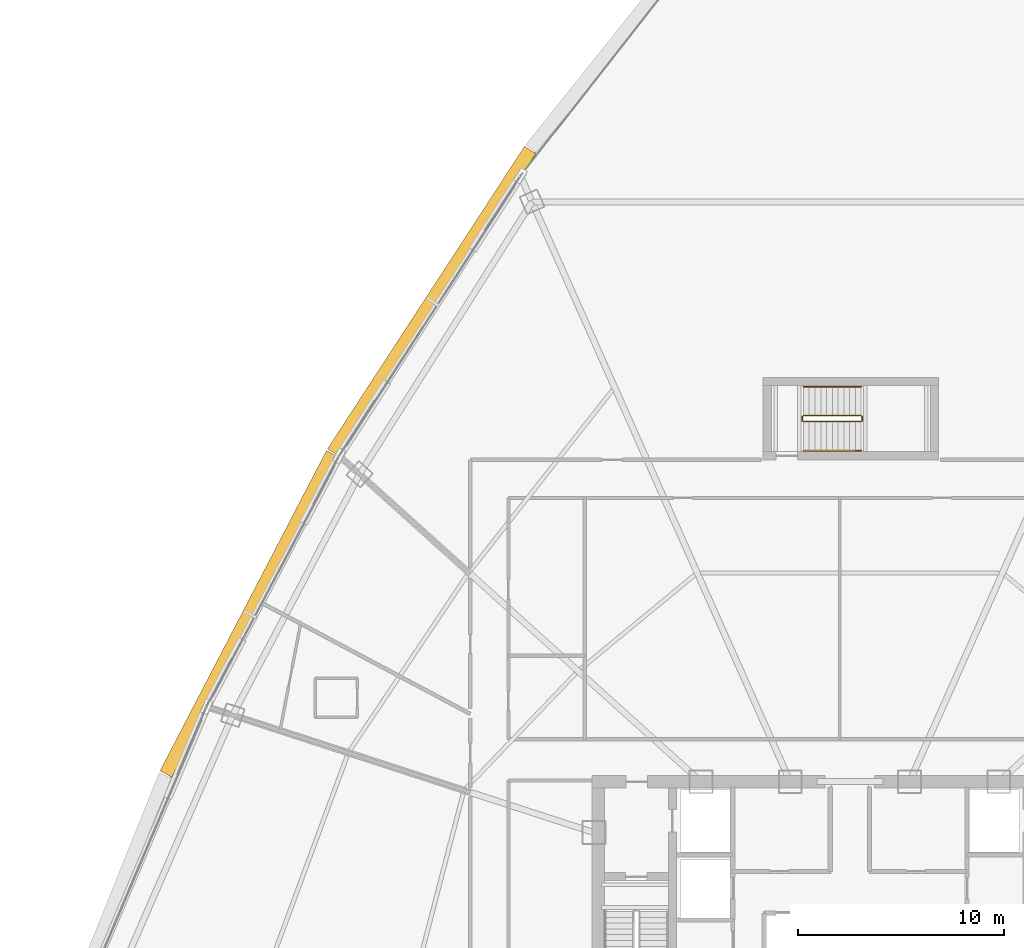
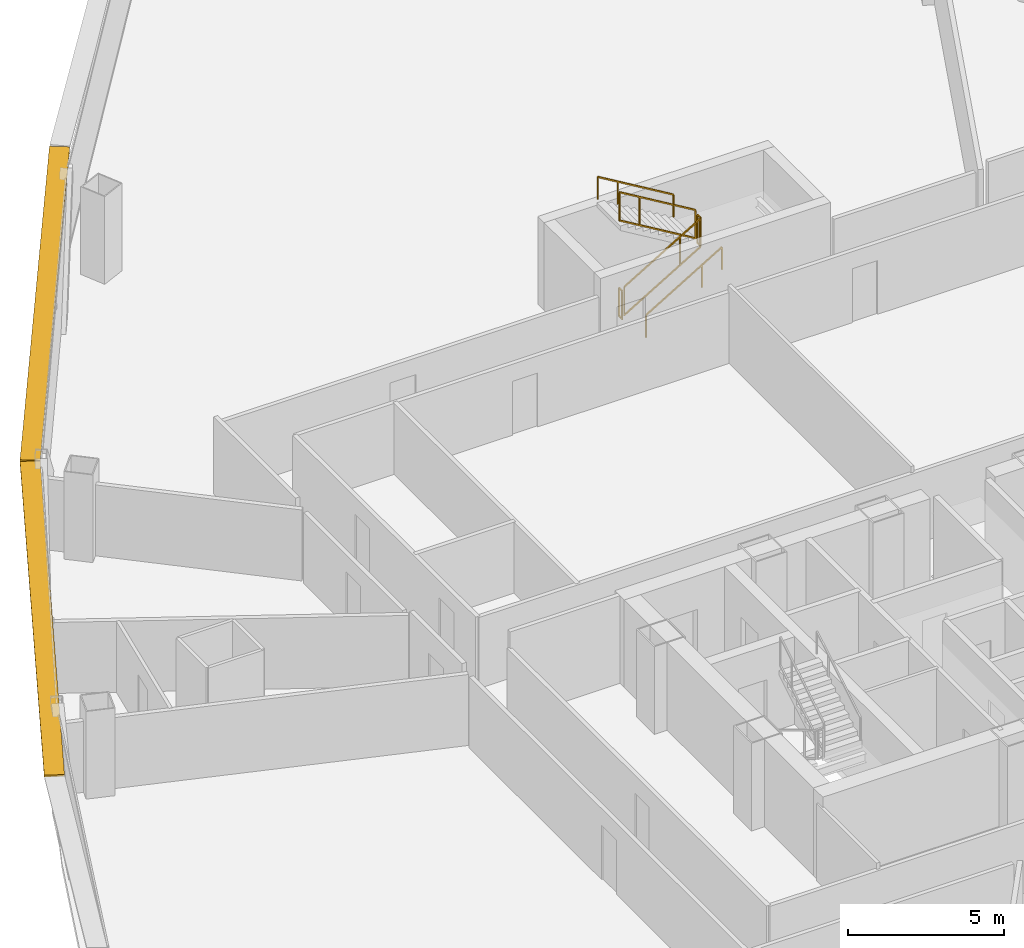
# One storey, part 40 of 41: 6 railings, 2 shading devices.
"""IFC4 building model written with IfcOpenShell, lengths in metres."""

from ifc_helpers import new_model, si_unit, direction, frame, origin, origin_2d, place, context, subcontext, project, spatial, rectangle, extrude, source, transform, mapped, material, layer, layer_set, type_object, element, save


model = new_model("IFC4")

# Units and contexts
model_context = context("Model", 3, precision=1e-05, world=origin(), true_north=direction((0.0, 1.0)))
body_context = subcontext(model_context, "Body", "Model", "MODEL_VIEW")
ifc_project = project(units=[si_unit("LENGTHUNIT", "METRE"), si_unit("AREAUNIT", "SQUARE_METRE"), si_unit("VOLUMEUNIT", "CUBIC_METRE"), si_unit("PLANEANGLEUNIT", "RADIAN"), si_unit("MASSUNIT", "GRAM", prefix="KILO"), si_unit("THERMODYNAMICTEMPERATUREUNIT", "KELVIN"), si_unit("POWERUNIT", "WATT")], contexts=[model_context])

# Site, building, storey
site_placement = place(None, origin())
site = spatial("IfcSite", under=ifc_project, at=site_placement, CompositionType="ELEMENT")
building_placement = place(site_placement, origin())
building = spatial("IfcBuilding", under=site, at=building_placement, Name="Yunzhuo Pagoda Commons", CompositionType="ELEMENT")
storey_placement = place(building_placement, frame((0.0, 0.0, 155.590087890625)))
storey = spatial("IfcBuildingStorey", under=building, at=storey_placement, Name="L39", CompositionType="ELEMENT", Elevation=155.590087890625)

# Railings
ifc_material = material(Name="Anodized aluminium 6063-T6", Category="aluminium")
railing_type_1 = type_object("IfcRailingType", Name="GR-ST3 North Well Guardrail 1155", PredefinedType="GUARDRAIL", material=ifc_material)
railing_1_placement = place(storey_placement, frame((45.75, 57.64990234375, 0.167236328125)))
element("IfcRailing", 1, at=railing_1_placement, inside=storey, type_object=railing_type_1, Name="L39 ST3 stair guard 1", PredefinedType="GUARDRAIL", context=body_context, shape_type="SweptSolid", body=[
    extrude(rectangle(XDim=0.048095703125, YDim=0.048095703125, at=origin_2d()), frame((0.0, 0.0, 1.1259765625), z_axis=(0.858495211305, 0.0, 0.512821579271), x_axis=(0.0, 1.0, 0.0)), (0.0, 0.0, 1.0), 3.261474609375),
    extrude(rectangle(XDim=0.048095703125, YDim=0.048095703125, at=origin_2d()), frame((0.0, 0.0, 0.02392578125), z_axis=(0.858495211305, 0.0, 0.512821579271), x_axis=(0.0, 1.0, 0.0)), (0.0, 0.0, 1.0), 3.261474609375),
    extrude(rectangle(XDim=0.0419921875, YDim=0.0419921875, at=origin_2d()), origin(), (0.0, 0.0, 1.0), 1.101806640625),
    extrude(rectangle(XDim=0.0419921875, YDim=0.0419921875, at=origin_2d()), frame((2.060302734375, 0.0, 1.230712890625)), (0.0, 0.0, 1.0), 1.101806640625),
    extrude(rectangle(XDim=0.0419921875, YDim=0.0419921875, at=origin_2d()), frame((2.800048828125, 0.0, 1.672607421875)), (0.0, 0.0, 1.0), 1.101806640625),
])
railing_2_placement = place(storey_placement, frame((48.60009765625, 57.699951171875, 1.83984375)))
element("IfcRailing", 2, at=railing_2_placement, inside=storey, type_object=railing_type_1, Name="L39 ST3 stair guard 2", PredefinedType="GUARDRAIL", context=body_context, shape_type="SweptSolid", body=[
    extrude(rectangle(XDim=0.048095703125, YDim=0.048095703125, at=origin_2d()), frame((0.0, 0.0, 1.1259765625), z_axis=(0.0, 1.0, 0.0), x_axis=(-1.0, 0.0, 0.0)), (0.0, 0.0, 1.0), 0.199951171875),
    extrude(rectangle(XDim=0.048095703125, YDim=0.048095703125, at=origin_2d()), frame((0.0, 0.0, 0.02392578125), z_axis=(0.0, 1.0, 0.0), x_axis=(-1.0, 0.0, 0.0)), (0.0, 0.0, 1.0), 0.199951171875),
    extrude(rectangle(XDim=0.0419921875, YDim=0.0419921875, at=origin_2d()), origin(), (0.0, 0.0, 1.0), 1.101806640625),
    extrude(rectangle(XDim=0.0419921875, YDim=0.0419921875, at=origin_2d()), frame((0.0, 0.199951171875, 0.0)), (0.0, 0.0, 1.0), 1.101806640625),
])
railing_3_placement = place(storey_placement, frame((48.550048828125, 57.949951171875, 2.007080078125)))
element("IfcRailing", 3, at=railing_3_placement, inside=storey, type_object=railing_type_1, Name="L39 ST3 stair guard 3", PredefinedType="GUARDRAIL", context=body_context, shape_type="SweptSolid", body=[
    extrude(rectangle(XDim=0.048095703125, YDim=0.048095703125, at=origin_2d()), frame((0.0, 0.0, 1.1259765625), z_axis=(-0.858462256164, 0.0, 0.512876744201), x_axis=(0.0, -1.0, 0.0)), (0.0, 0.0, 1.0), 3.26171875),
    extrude(rectangle(XDim=0.048095703125, YDim=0.048095703125, at=origin_2d()), frame((0.0, 0.0, 0.02392578125), z_axis=(-0.858462256164, 0.0, 0.512876744201), x_axis=(0.0, -1.0, 0.0)), (0.0, 0.0, 1.0), 3.26171875),
    extrude(rectangle(XDim=0.0419921875, YDim=0.0419921875, at=origin_2d()), origin(), (0.0, 0.0, 1.0), 1.101806640625),
    extrude(rectangle(XDim=0.0419921875, YDim=0.0419921875, at=origin_2d()), frame((-2.060302734375, 0.0, 1.23095703125)), (0.0, 0.0, 1.0), 1.101806640625),
    extrude(rectangle(XDim=0.0419921875, YDim=0.0419921875, at=origin_2d()), frame((-2.800048828125, 0.0, 1.6728515625)), (0.0, 0.0, 1.0), 1.101806640625),
])
railing_4_placement = place(storey_placement, frame((45.699951171875, 57.699951171875, 0.0)))
element("IfcRailing", 4, at=railing_4_placement, inside=storey, type_object=railing_type_1, Name="L39 ST3 stair guard 4", PredefinedType="GUARDRAIL", context=body_context, shape_type="SweptSolid", body=[
    extrude(rectangle(XDim=0.048095703125, YDim=0.048095703125, at=origin_2d()), frame((0.0, 0.0, 1.1259765625), z_axis=(0.0, 1.0, 0.0), x_axis=(-1.0, 0.0, 0.0)), (0.0, 0.0, 1.0), 0.199951171875),
    extrude(rectangle(XDim=0.048095703125, YDim=0.048095703125, at=origin_2d()), frame((0.0, 0.0, 0.02392578125), z_axis=(0.0, 1.0, 0.0), x_axis=(-1.0, 0.0, 0.0)), (0.0, 0.0, 1.0), 0.199951171875),
    extrude(rectangle(XDim=0.0419921875, YDim=0.0419921875, at=origin_2d()), origin(), (0.0, 0.0, 1.0), 1.101806640625),
    extrude(rectangle(XDim=0.0419921875, YDim=0.0419921875, at=origin_2d()), frame((0.0, 0.199951171875, 0.0)), (0.0, 0.0, 1.0), 1.101806640625),
])
railing_type_2 = type_object("IfcRailingType", Name="HR-ST3 North Stair Handrail 900", PredefinedType="HANDRAIL", material=ifc_material)
railing_5_placement = place(storey_placement, frame((45.75, 56.25, 0.167236328125)))
element("IfcRailing", 5, at=railing_5_placement, inside=storey, type_object=railing_type_2, Name="L39 ST3 stair handrail 1", PredefinedType="HANDRAIL", context=body_context, shape_type="SweptSolid", body=[
    extrude(rectangle(XDim=0.048095703125, YDim=0.048095703125, at=origin_2d()), frame((0.0, 0.0, 0.8759765625), z_axis=(0.858495211305, 0.0, 0.512821579271), x_axis=(0.0, 1.0, 0.0)), (0.0, 0.0, 1.0), 3.261474609375),
    extrude(rectangle(XDim=0.0419921875, YDim=0.0419921875, at=origin_2d()), origin(), (0.0, 0.0, 1.0), 0.851806640625),
    extrude(rectangle(XDim=0.0419921875, YDim=0.0419921875, at=origin_2d()), frame((2.060302734375, 0.0, 1.230712890625)), (0.0, 0.0, 1.0), 0.851806640625),
    extrude(rectangle(XDim=0.0419921875, YDim=0.0419921875, at=origin_2d()), frame((2.800048828125, 0.0, 1.672607421875)), (0.0, 0.0, 1.0), 0.851806640625),
])
railing_6_placement = place(storey_placement, frame((48.550048828125, 59.35009765625, 2.007080078125)))
element("IfcRailing", 6, at=railing_6_placement, inside=storey, type_object=railing_type_2, Name="L39 ST3 stair handrail 2", PredefinedType="HANDRAIL", context=body_context, shape_type="SweptSolid", body=[
    extrude(rectangle(XDim=0.048095703125, YDim=0.048095703125, at=origin_2d()), frame((0.0, 0.0, 0.8759765625), z_axis=(-0.858462256164, 0.0, 0.512876744201), x_axis=(0.0, -1.0, 0.0)), (0.0, 0.0, 1.0), 3.26171875),
    extrude(rectangle(XDim=0.0419921875, YDim=0.0419921875, at=origin_2d()), origin(), (0.0, 0.0, 1.0), 0.851806640625),
    extrude(rectangle(XDim=0.0419921875, YDim=0.0419921875, at=origin_2d()), frame((-2.060302734375, 0.0, 1.23095703125)), (0.0, 0.0, 1.0), 0.851806640625),
    extrude(rectangle(XDim=0.0419921875, YDim=0.0419921875, at=origin_2d()), frame((-2.800048828125, 0.0, 1.6728515625)), (0.0, 0.0, 1.0), 0.851806640625),
])

# Shading devices
ifc_layer = layer(ifc_material, 0.080078125)
ifc_layer_set = layer_set([ifc_layer], Name="Anodized aluminium 6063-T6")
shading_device_type = type_object("IfcShadingDeviceType", Name="SH-SUN1 Pagoda Horizontal Sunshade Eave 650", PredefinedType="USERDEFINED", material=ifc_layer_set)
shared_shape_1 = source(origin(), body_context, "Body", "SweptSolid", [
    extrude(rectangle(XDim=17.50537109375, YDim=0.64990234375, at=origin_2d()), origin(), (0.0, 0.0, 1.0), 0.080078125),
])
shading_device_1_placement = place(storey_placement, frame((18.880859375, 48.334716796875, 3.33984375), z_axis=(0.0, 0.0, 1.0), x_axis=(-0.461206683033, -0.88729273384, 0.0)))
element("IfcShadingDevice", 7, at=shading_device_1_placement, inside=storey, type_object=shading_device_type, Name="L39 horizontal pagoda sunshade eave F3.3", ObjectType="SUNSHADE", PredefinedType="USERDEFINED", context=body_context, shape_type="MappedRepresentation", body=[
    mapped(shared_shape_1, transform((0.0, 0.0, 0.0), scale=1.0)),
])
shared_shape_2 = source(origin(), body_context, "Body", "SweptSolid", [
    extrude(rectangle(XDim=17.505615234375, YDim=0.64990234375, at=origin_2d()), origin(), (0.0, 0.0, 1.0), 0.080078125),
])
shading_device_2_placement = place(storey_placement, frame((27.727294921875, 63.489501953125, 3.33984375), z_axis=(0.0, 0.0, 1.0), x_axis=(-0.545838756973, -0.837890238269, 0.0)))
element("IfcShadingDevice", 8, at=shading_device_2_placement, inside=storey, type_object=shading_device_type, Name="L39 horizontal pagoda sunshade eave F3.2", ObjectType="SUNSHADE", PredefinedType="USERDEFINED", context=body_context, shape_type="MappedRepresentation", body=[
    mapped(shared_shape_2, transform((0.0, 0.0, 0.0), scale=1.0)),
])

save(model, "model.ifc")
